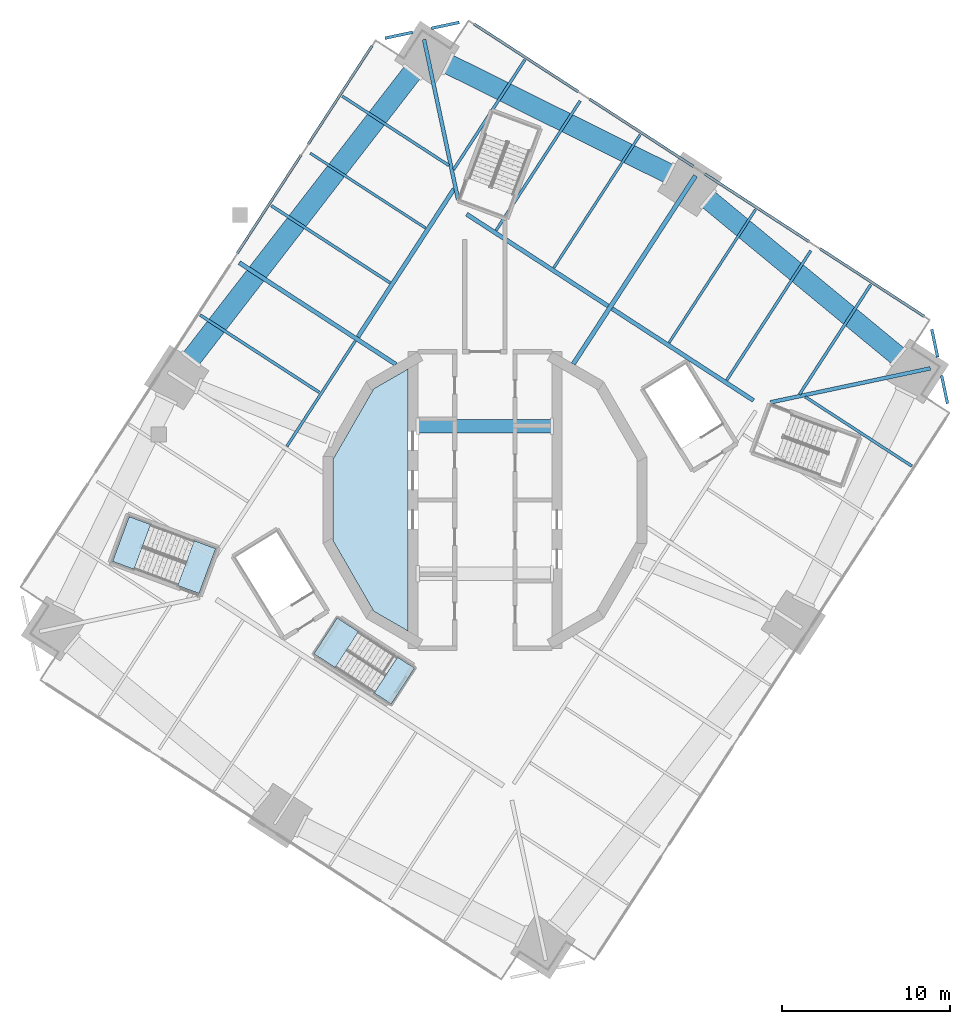
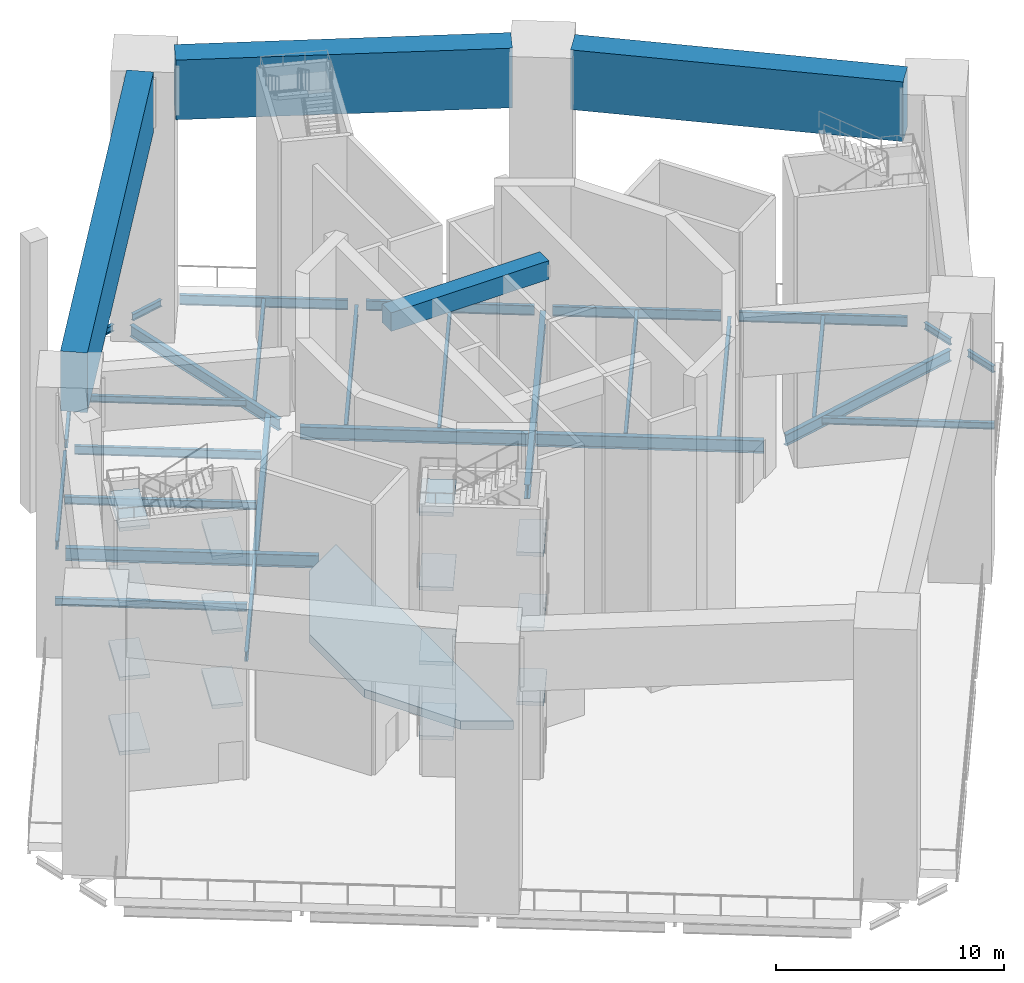
# One storey, part 2 of 16: 33 beams, 15 slabs, 2 elements without a shape of their own.
"""IFC4 building model written with IfcOpenShell, lengths in metres."""

from ifc_helpers import new_model, si_unit, direction, frame, origin, origin_2d, place, context, subcontext, project, spatial, polyline, rectangle, i_section, outline, extrude, material, layer, layer_set, material_profile, profile_set, type_object, element, aggregate, save


model = new_model("IFC4")

# Units and contexts
model_context = context("Model", 3, precision=1e-05, world=origin(), true_north=direction((0.0, 1.0)))
body_context = subcontext(model_context, "Body", "Model", "MODEL_VIEW")
ifc_project = project(units=[si_unit("LENGTHUNIT", "METRE"), si_unit("AREAUNIT", "SQUARE_METRE"), si_unit("VOLUMEUNIT", "CUBIC_METRE"), si_unit("PLANEANGLEUNIT", "RADIAN"), si_unit("MASSUNIT", "GRAM", prefix="KILO")], contexts=[model_context])

# Site, building, storey
site_placement = place(None, origin())
site = spatial("IfcSite", under=ifc_project, at=site_placement, CompositionType="ELEMENT")
building_placement = place(site_placement, origin())
building = spatial("IfcBuilding", under=site, at=building_placement, Name="Cantera Rosa Tower", CompositionType="ELEMENT")
storey_placement = place(building_placement, frame((0.0, 0.0, 290.10009765625)))
storey = spatial("IfcBuildingStorey", under=building, at=storey_placement, Name="L66", CompositionType="ELEMENT", Elevation=290.10009765625)

# Beams
ifc_material_1 = material(Name="Concrete C50/60", Category="concrete")
ifc_material_profile_1 = material_profile(ifc_material_1, rectangle(XDim=0.800048828125, YDim=1.0, at=origin_2d()), Name="RC COUPLING BEAM RC800X1000 C50/60")
ifc_profile_set_1 = profile_set([ifc_material_profile_1], Name="Concrete C50/60")
beam_type_1 = type_object("IfcBeamType", Name="RC COUPLING BEAM RC800X1000 C50/60", PredefinedType="BEAM", material=ifc_profile_set_1)
beam_1_placement = place(storey_placement, frame((-4.0, 4.39990234375, 14.0), z_axis=(1.0, 0.0, 0.0), x_axis=(0.0, 1.0, 0.0)))
element("IfcBeam", 1, at=beam_1_placement, inside=storey, type_object=beam_type_1, Name="CPL-L66-2", PredefinedType="BEAM", context=body_context, shape_type="SweptSolid", body=[
    extrude(rectangle(XDim=0.800048828125, YDim=1.0, at=origin_2d()), origin(), (0.0, 0.0, 1.0), 8.0),
])
ifc_material_2 = material(Name="Concrete C70/85", Category="concrete")
ifc_material_profile_2 = material_profile(ifc_material_2, rectangle(XDim=1.199951171875, YDim=3.199951171875, at=origin_2d()), Name="RC PORTAL TRANSFER GIRDER RC1200X3200 C70/85")
ifc_profile_set_2 = profile_set([ifc_material_profile_2], Name="Concrete C70/85")
beam_type_2 = type_object("IfcBeamType", Name="RC PORTAL TRANSFER GIRDER RC1200X3200 C70/85", PredefinedType="BEAM", material=ifc_profile_set_2)
beam_2_placement = place(storey_placement, frame((24.68994140625, 8.53369140625, 12.89990234375), z_axis=(-0.770983211747, 0.636855468065, 0.0), x_axis=(-0.636855468065, -0.770983211747, 0.0)))
element("IfcBeam", 2, at=beam_2_placement, inside=storey, type_object=beam_type_2, Name="PGB-L66-5", PredefinedType="BEAM", context=body_context, shape_type="SweptSolid", body=[
    extrude(rectangle(XDim=1.199951171875, YDim=3.199951171875, at=origin_2d()), origin(), (0.0, 0.0, 1.0), 14.814697265625),
])
beam_3_placement = place(storey_placement, frame((11.018310546875, 19.42919921875, 12.89990234375), z_axis=(-0.895371138171, 0.445320698969, 0.0), x_axis=(-0.445320698969, -0.895371138171, 0.0)))
element("IfcBeam", 3, at=beam_3_placement, inside=storey, type_object=beam_type_2, Name="PGB-L66-6", PredefinedType="BEAM", context=body_context, shape_type="SweptSolid", body=[
    extrude(rectangle(XDim=1.199951171875, YDim=3.199951171875, at=origin_2d()), origin(), (0.0, 0.0, 1.0), 14.814453125),
])
beam_4_placement = place(storey_placement, frame((-4.280517578125, 25.559326171875, 12.89990234375), z_axis=(-0.611489724216, -0.791252372621, 0.0), x_axis=(0.791252372621, -0.611489724216, 0.0)))
element("IfcBeam", 4, at=beam_4_placement, inside=storey, type_object=beam_type_2, Name="PGB-L66-7", PredefinedType="BEAM", context=body_context, shape_type="SweptSolid", body=[
    extrude(rectangle(XDim=1.199951171875, YDim=3.199951171875, at=origin_2d()), origin(), (0.0, 0.0, 1.0), 21.721923828125),
])
ifc_material_3 = material(Name="Steel ASTM A992 (Fy 345 MPa)", Category="steel")
ifc_material_profile_3 = material_profile(ifc_material_3, i_section(OverallWidth=0.154052734375, OverallDepth=0.4599609375, WebThickness=0.009033203125, FlangeThickness=0.015380859375, FilletRadius=0.01025390625, at=origin_2d()), Name="W460X68")
ifc_profile_set_3 = profile_set([ifc_material_profile_3], Name="Steel ASTM A992 (Fy 345 MPa)")
beam_type_3 = type_object("IfcBeamType", Name="STEEL BEAM W460X68", PredefinedType="BEAM", material=ifc_profile_set_3)
beam_5_placement = place(storey_placement, frame((-10.41748046875, 20.68017578125, -0.68017578125), z_axis=(0.838672777751, -0.544635632198, 0.0), x_axis=(0.544635632198, 0.838672777751, 0.0)))
element("IfcBeam", 5, at=beam_5_placement, inside=storey, type_object=beam_type_3, Name="G-Z5-04 L66", PredefinedType="BEAM", context=body_context, shape_type="SweptSolid", body=[
    extrude(i_section(OverallWidth=0.154052734375, OverallDepth=0.4599609375, WebThickness=0.009033203125, FlangeThickness=0.015380859375, FilletRadius=0.01025390625, at=origin_2d()), origin(), (0.0, 0.0, 1.0), 8.2001953125),
])
ifc_material_4 = material(Name="Steel ASTM A992 (Fy 345 MPa)", Category="steel")
ifc_material_profile_4 = material_profile(ifc_material_4, i_section(OverallWidth=0.166015625, OverallDepth=0.528076171875, WebThickness=0.009765625, FlangeThickness=0.013671875, FilletRadius=0.0126953125, at=origin_2d()), Name="W530X74")
ifc_profile_set_4 = profile_set([ifc_material_profile_4], Name="Steel ASTM A992 (Fy 345 MPa)")
beam_type_4 = type_object("IfcBeamType", Name="STEEL BEAM W530X74", PredefinedType="BEAM", material=ifc_profile_set_4)
beam_6_placement = place(storey_placement, frame((19.430908203125, 14.865234375, -0.714111328125), z_axis=(-0.544634776066, -0.838673333724, 0.0), x_axis=(0.838673333724, -0.544634776066, 0.0)))
element("IfcBeam", 6, at=beam_6_placement, inside=storey, type_object=beam_type_4, Name="G-Z5-01 L66", PredefinedType="BEAM", context=body_context, shape_type="SweptSolid", body=[
    extrude(i_section(OverallWidth=0.166015625, OverallDepth=0.528076171875, WebThickness=0.009765625, FlangeThickness=0.013671875, FilletRadius=0.0126953125, at=origin_2d()), origin(), (0.0, 0.0, 1.0), 9.19970703125),
])
beam_7_placement = place(storey_placement, frame((5.6767578125, 23.79736328125, -0.714111328125), z_axis=(-0.544622654601, -0.838681205283, 0.0), x_axis=(0.838681205283, -0.544622654601, 0.0)))
element("IfcBeam", 7, at=beam_7_placement, inside=storey, type_object=beam_type_4, Name="G-Z5-03 L66", PredefinedType="BEAM", context=body_context, shape_type="SweptSolid", body=[
    extrude(i_section(OverallWidth=0.166015625, OverallDepth=0.528076171875, WebThickness=0.009765625, FlangeThickness=0.013671875, FilletRadius=0.0126953125, at=origin_2d()), origin(), (0.0, 0.0, 1.0), 9.199951171875),
])
beam_8_placement = place(storey_placement, frame((-11.807373046875, 3.20849609375, -0.714111328125), z_axis=(0.544626910795, 0.838678441381, 0.0), x_axis=(-0.838678441381, 0.544626910795, 0.0)))
element("IfcBeam", 8, at=beam_8_placement, inside=storey, type_object=beam_type_4, Name="RB-Z5-02 L66", PredefinedType="BEAM", context=body_context, shape_type="SweptSolid", body=[
    extrude(i_section(OverallWidth=0.166015625, OverallDepth=0.528076171875, WebThickness=0.009765625, FlangeThickness=0.013671875, FilletRadius=0.0126953125, at=origin_2d()), origin(), (0.0, 0.0, 1.0), 7.479736328125),
])
ifc_material_5 = material(Name="Steel ASTM A992 (Fy 345 MPa)", Category="steel")
ifc_material_profile_5 = material_profile(ifc_material_5, i_section(OverallWidth=0.22802734375, OverallDepth=0.60205078125, WebThickness=0.010498046875, FlangeThickness=0.014892578125, FilletRadius=0.0126953125, at=origin_2d()), Name="W610X101")
ifc_profile_set_5 = profile_set([ifc_material_profile_5], Name="Steel ASTM A992 (Fy 345 MPa)")
beam_type_5 = type_object("IfcBeamType", Name="STEEL BEAM W610X101", PredefinedType="BEAM", material=ifc_profile_set_5)
for number, where, z_axis, x_axis, name in (
    (9, (-3.63134765625, 27.45751953125, -0.7509765625), (0.20790902572, -0.978148167214, 0.0), (0.978148167214, 0.20790902572, 0.0), "CB-Z5-01 L66"),
    (10, (26.560791015625, 7.8505859375, -0.7509765625), (-0.978148167214, -0.20790902572, 0.0), (0.20790902572, -0.978148167214, 0.0), "CB-Z5-04 L66"),
):
    element("IfcBeam", number, at=place(storey_placement, frame(where, z_axis=z_axis, x_axis=x_axis)), inside=storey, type_object=beam_type_5, Name=name, PredefinedType="BEAM", context=body_context, shape_type="SweptSolid", body=[
        extrude(i_section(OverallWidth=0.22802734375, OverallDepth=0.60205078125, WebThickness=0.010498046875, FlangeThickness=0.014892578125, FilletRadius=0.0126953125, at=origin_2d()), origin(), (0.0, 0.0, 1.0), 9.758056640625),
    ])
ifc_material_6 = material(Name="Steel ASTM A992 (Fy 345 MPa)", Category="steel")
ifc_material_profile_6 = material_profile(ifc_material_6, i_section(OverallWidth=0.25390625, OverallDepth=0.677978515625, WebThickness=0.01171875, FlangeThickness=0.016357421875, FilletRadius=0.01513671875, at=origin_2d()), Name="W690X125")
ifc_profile_set_6 = profile_set([ifc_material_profile_6], Name="Steel ASTM A992 (Fy 345 MPa)")
beam_type_6 = type_object("IfcBeamType", Name="STEEL BEAM W690X125", PredefinedType="BEAM", material=ifc_profile_set_6)
beam_9_placement = place(storey_placement, frame((-14.65478515625, 14.1552734375, -0.7890625), z_axis=(0.838661833747, -0.544652484265, 0.0), x_axis=(0.544652484265, 0.838661833747, 0.0)))
element("IfcBeam", 11, at=beam_9_placement, inside=storey, type_object=beam_type_6, Name="G-Z5-05 L66", PredefinedType="BEAM", context=body_context, shape_type="SweptSolid", body=[
    extrude(i_section(OverallWidth=0.25390625, OverallDepth=0.677978515625, WebThickness=0.01171875, FlangeThickness=0.016357421875, FilletRadius=0.01513671875, at=origin_2d()), origin(), (0.0, 0.0, 1.0), 11.141357421875),
])
beam_10_placement = place(storey_placement, frame((-7.570068359375, 9.733154296875, -0.7890625), z_axis=(0.544635575355, 0.838672814665, 0.0), x_axis=(-0.838672814665, 0.544635575355, 0.0)))
element("IfcBeam", 12, at=beam_10_placement, inside=storey, type_object=beam_type_6, Name="RB-Z5-03 L66", PredefinedType="BEAM", context=body_context, shape_type="SweptSolid", body=[
    extrude(i_section(OverallWidth=0.25390625, OverallDepth=0.677978515625, WebThickness=0.01171875, FlangeThickness=0.016357421875, FilletRadius=0.01513671875, at=origin_2d()), origin(), (0.0, 0.0, 1.0), 10.510009765625),
])
beam_11_placement = place(storey_placement, frame((16.01611328125, 5.9345703125, -0.7890625), z_axis=(-0.838672207367, 0.544636510519, 0.0), x_axis=(-0.544636510519, -0.838672207367, 0.0)))
element("IfcBeam", 13, at=beam_11_placement, inside=storey, type_object=beam_type_6, Name="RB-Z5-07 L66", PredefinedType="BEAM", context=body_context, shape_type="SweptSolid", body=[
    extrude(i_section(OverallWidth=0.25390625, OverallDepth=0.677978515625, WebThickness=0.01171875, FlangeThickness=0.016357421875, FilletRadius=0.01513671875, at=origin_2d()), origin(), (0.0, 0.0, 1.0), 10.050048828125),
])
beam_12_placement = place(storey_placement, frame((7.335693359375, 11.571533203125, -0.7890625), z_axis=(-0.838665001306, 0.544647606792, 0.0), x_axis=(-0.544647606792, -0.838665001306, 0.0)))
element("IfcBeam", 14, at=beam_12_placement, inside=storey, type_object=beam_type_6, Name="RB-Z5-08 L66", PredefinedType="BEAM", context=body_context, shape_type="SweptSolid", body=[
    extrude(i_section(OverallWidth=0.25390625, OverallDepth=0.677978515625, WebThickness=0.01171875, FlangeThickness=0.016357421875, FilletRadius=0.01513671875, at=origin_2d()), origin(), (0.0, 0.0, 1.0), 10.0498046875),
])
ifc_material_7 = material(Name="Steel ASTM A992 (Fy 345 MPa)", Category="steel")
ifc_material_profile_7 = material_profile(ifc_material_7, i_section(OverallWidth=0.26708984375, OverallDepth=0.75390625, WebThickness=0.01318359375, FlangeThickness=0.01708984375, FilletRadius=0.0166015625, at=origin_2d()), Name="W760X147")
ifc_profile_set_7 = profile_set([ifc_material_profile_7], Name="Steel ASTM A992 (Fy 345 MPa)")
beam_type_7 = type_object("IfcBeamType", Name="STEEL BEAM W760X147", PredefinedType="BEAM", material=ifc_profile_set_7)
beam_13_placement = place(storey_placement, frame((12.553955078125, 19.331298828125, -0.8271484375), z_axis=(-0.54464061985, -0.838669538739, 0.0), x_axis=(0.838669538739, -0.54464061985, 0.0)))
element("IfcBeam", 15, at=beam_13_placement, inside=storey, type_object=beam_type_7, Name="G-Z5-02 L66", PredefinedType="BEAM", context=body_context, shape_type="SweptSolid", body=[
    extrude(i_section(OverallWidth=0.26708984375, OverallDepth=0.75390625, WebThickness=0.01318359375, FlangeThickness=0.01708984375, FilletRadius=0.0166015625, at=origin_2d()), origin(), (0.0, 0.0, 1.0), 13.37744140625),
])
ifc_material_8 = material(Name="Steel ASTM A992 (Fy 345 MPa)", Category="steel")
ifc_material_profile_8 = material_profile(ifc_material_8, i_section(OverallWidth=0.1708984375, OverallDepth=0.35595703125, WebThickness=0.00732421875, FlangeThickness=0.01171875, FilletRadius=0.010009765625, at=origin_2d()), Name="W360X51")
ifc_profile_set_8 = profile_set([ifc_material_profile_8], Name="Steel ASTM A992 (Fy 345 MPa)")
beam_type_8 = type_object("IfcBeamType", Name="STEEL JOIST W360X51", PredefinedType="JOIST", material=ifc_profile_set_8)
for number, where, z_axis, x_axis, name in (
    (16, (23.005859375, 12.842041015625, -0.628173828125), (-0.544641754757, -0.838668801718, 0.0), (0.838668801718, -0.544641754757, 0.0), "B-Z5-01 L66"),
    (17, (2.37451171875, 26.239990234375, -0.628173828125), (-0.54465605183, -0.838659516851, 0.0), (0.838659516851, -0.54465605183, 0.0), "B-Z5-04 L66"),
):
    element("IfcBeam", number, at=place(storey_placement, frame(where, z_axis=z_axis, x_axis=x_axis)), inside=storey, type_object=beam_type_8, Name=name, PredefinedType="JOIST", context=body_context, shape_type="SweptSolid", body=[
        extrude(i_section(OverallWidth=0.1708984375, OverallDepth=0.35595703125, WebThickness=0.00732421875, FlangeThickness=0.01171875, FilletRadius=0.010009765625, at=origin_2d()), origin(), (0.0, 0.0, 1.0), 7.800048828125),
    ])
beam_14_placement = place(storey_placement, frame((-8.508544921875, 24.07861328125, -0.628173828125), z_axis=(0.838670629323, -0.544638940502, 0.0), x_axis=(0.544638940502, 0.838670629323, 0.0)))
element("IfcBeam", 18, at=beam_14_placement, inside=storey, type_object=beam_type_8, Name="B-Z5-05 L66", PredefinedType="JOIST", context=body_context, shape_type="SweptSolid", body=[
    extrude(i_section(OverallWidth=0.1708984375, OverallDepth=0.35595703125, WebThickness=0.00732421875, FlangeThickness=0.01171875, FilletRadius=0.010009765625, at=origin_2d()), origin(), (0.0, 0.0, 1.0), 7.58984375),
])
beam_15_placement = place(storey_placement, frame((25.457763671875, 2.020751953125, -0.628173828125), z_axis=(-0.838680170462, 0.54462424815, 0.0), x_axis=(-0.54462424815, -0.838680170462, 0.0)))
element("IfcBeam", 19, at=beam_15_placement, inside=storey, type_object=beam_type_8, Name="B-Z5-14 L66", PredefinedType="JOIST", context=body_context, shape_type="SweptSolid", body=[
    extrude(i_section(OverallWidth=0.1708984375, OverallDepth=0.35595703125, WebThickness=0.00732421875, FlangeThickness=0.01171875, FilletRadius=0.010009765625, at=origin_2d()), origin(), (0.0, 0.0, 1.0), 7.590087890625),
])
ifc_material_9 = material(Name="Steel ASTM A992 (Fy 345 MPa)", Category="steel")
ifc_material_profile_9 = material_profile(ifc_material_9, i_section(OverallWidth=0.177978515625, OverallDepth=0.406005859375, WebThickness=0.0078125, FlangeThickness=0.0126953125, FilletRadius=0.01025390625, at=origin_2d()), Name="W410X60")
ifc_profile_set_9 = profile_set([ifc_material_profile_9], Name="Steel ASTM A992 (Fy 345 MPa)")
beam_type_9 = type_object("IfcBeamType", Name="STEEL JOIST W410X60", PredefinedType="JOIST", material=ifc_profile_set_9)
beam_16_placement = place(storey_placement, frame((-12.745849609375, 17.5537109375, -0.653076171875), z_axis=(0.838683812595, -0.5446186395, 0.0), x_axis=(0.5446186395, 0.838683812595, 0.0)))
element("IfcBeam", 20, at=beam_16_placement, inside=storey, type_object=beam_type_9, Name="B-Z5-06 L66", PredefinedType="JOIST", context=body_context, shape_type="SweptSolid", body=[
    extrude(i_section(OverallWidth=0.177978515625, OverallDepth=0.406005859375, WebThickness=0.0078125, FlangeThickness=0.0126953125, FilletRadius=0.01025390625, at=origin_2d()), origin(), (0.0, 0.0, 1.0), 8.449951171875),
])
beam_17_placement = place(storey_placement, frame((-16.983154296875, 11.029052734375, -0.653076171875), z_axis=(0.838670615657, -0.544638961546, 0.0), x_axis=(0.544638961546, 0.838670615657, 0.0)))
element("IfcBeam", 21, at=beam_17_placement, inside=storey, type_object=beam_type_9, Name="B-Z5-07 L66", PredefinedType="JOIST", context=body_context, shape_type="SweptSolid", body=[
    extrude(i_section(OverallWidth=0.177978515625, OverallDepth=0.406005859375, WebThickness=0.0078125, FlangeThickness=0.0126953125, FilletRadius=0.01025390625, at=origin_2d()), origin(), (0.0, 0.0, 1.0), 8.4501953125),
])
ifc_material_10 = material(Name="Steel ASTM A992 (Fy 345 MPa)", Category="steel")
ifc_material_profile_10 = material_profile(ifc_material_10, i_section(OverallWidth=0.154052734375, OverallDepth=0.4599609375, WebThickness=0.009033203125, FlangeThickness=0.015380859375, FilletRadius=0.01025390625, at=origin_2d()), Name="W460X68")
ifc_profile_set_10 = profile_set([ifc_material_profile_10], Name="Steel ASTM A992 (Fy 345 MPa)")
beam_type_10 = type_object("IfcBeamType", Name="STEEL JOIST W460X68", PredefinedType="JOIST", material=ifc_profile_set_10)
beam_18_placement = place(storey_placement, frame((16.128662109375, 17.30810546875, -0.68017578125), z_axis=(-0.544644146603, -0.838667248419, 0.0), x_axis=(0.838667248419, -0.544644146603, 0.0)))
element("IfcBeam", 22, at=beam_18_placement, inside=storey, type_object=beam_type_10, Name="B-Z5-02 L66", PredefinedType="JOIST", context=body_context, shape_type="SweptSolid", body=[
    extrude(i_section(OverallWidth=0.154052734375, OverallDepth=0.4599609375, WebThickness=0.009033203125, FlangeThickness=0.015380859375, FilletRadius=0.01025390625, at=origin_2d()), origin(), (0.0, 0.0, 1.0), 9.4501953125),
])
beam_19_placement = place(storey_placement, frame((9.25146484375, 21.77392578125, -0.68017578125), z_axis=(-0.544637775879, -0.838671385636, 0.0), x_axis=(0.838671385636, -0.544637775879, 0.0)))
element("IfcBeam", 23, at=beam_19_placement, inside=storey, type_object=beam_type_10, Name="B-Z5-03 L66", PredefinedType="JOIST", context=body_context, shape_type="SweptSolid", body=[
    extrude(i_section(OverallWidth=0.154052734375, OverallDepth=0.4599609375, WebThickness=0.009033203125, FlangeThickness=0.015380859375, FilletRadius=0.01025390625, at=origin_2d()), origin(), (0.0, 0.0, 1.0), 9.44970703125),
])
ifc_material_11 = material(Name="Steel ASTM A992 (Fy 345 MPa)", Category="steel")
ifc_material_profile_11 = material_profile(ifc_material_11, i_section(OverallWidth=0.1708984375, OverallDepth=0.35595703125, WebThickness=0.00732421875, FlangeThickness=0.01171875, FilletRadius=0.010009765625, at=origin_2d()), Name="W360X51")
ifc_profile_set_11 = profile_set([ifc_material_profile_11], Name="Steel ASTM A992 (Fy 345 MPa)")
beam_type_11 = type_object("IfcBeamType", Name="STEEL SPANDREL BEAM W360X51", PredefinedType="SPANDREL", material=ifc_profile_set_11)
for number, where, z_axis, x_axis, name in (
    (24, (-1.53564453125, 28.481201171875, -0.628173828125), (-0.978158850918, -0.20785875582, 0.0), (0.20785875582, -0.978158850918, 0.0), "EB-Z5-05 L66"),
    (25, (-4.30224609375, 27.893310546875, -0.628173828125), (-0.978129595322, -0.207996381593, 0.0), (0.207996381593, -0.978129595322, 0.0), "EB-Z5-06 L66"),
):
    element("IfcBeam", number, at=place(storey_placement, frame(where, z_axis=z_axis, x_axis=x_axis)), inside=storey, type_object=beam_type_11, Name=name, PredefinedType="SPANDREL", context=body_context, shape_type="SweptSolid", body=[
        extrude(i_section(OverallWidth=0.1708984375, OverallDepth=0.35595703125, WebThickness=0.00732421875, FlangeThickness=0.01171875, FilletRadius=0.010009765625, at=origin_2d()), origin(), (0.0, 0.0, 1.0), 1.697265625),
    ])
for number, where, z_axis, x_axis, name in (
    (26, (27.58447265625, 5.7548828125, -0.628173828125), (-0.207888006632, 0.978152634663, 0.0), (-0.978152634663, -0.207888006632, 0.0), "EB-Z5-25 L66"),
    (27, (26.996337890625, 8.521484375, -0.628173828125), (-0.207888006632, 0.978152634663, 0.0), (-0.978152634663, -0.207888006632, 0.0), "EB-Z5-26 L66"),
):
    element("IfcBeam", number, at=place(storey_placement, frame(where, z_axis=z_axis, x_axis=x_axis)), inside=storey, type_object=beam_type_11, Name=name, PredefinedType="SPANDREL", context=body_context, shape_type="SweptSolid", body=[
        extrude(i_section(OverallWidth=0.1708984375, OverallDepth=0.35595703125, WebThickness=0.00732421875, FlangeThickness=0.01171875, FilletRadius=0.010009765625, at=origin_2d()), origin(), (0.0, 0.0, 1.0), 1.697021484375),
    ])
ifc_material_12 = material(Name="Steel ASTM A992 (Fy 345 MPa)", Category="steel")
ifc_material_profile_12 = material_profile(ifc_material_12, i_section(OverallWidth=0.154052734375, OverallDepth=0.4599609375, WebThickness=0.009033203125, FlangeThickness=0.015380859375, FilletRadius=0.01025390625, at=origin_2d()), Name="W460X68")
ifc_profile_set_12 = profile_set([ifc_material_profile_12], Name="Steel ASTM A992 (Fy 345 MPa)")
beam_type_12 = type_object("IfcBeamType", Name="STEEL SPANDREL BEAM W460X68", PredefinedType="SPANDREL", material=ifc_profile_set_12)
for number, where, z_axis, x_axis, name in (
    (28, (-6.7333984375, 27.08740234375, -0.68017578125), (-0.544651451949, -0.838662504164, 0.0), (0.838662504164, -0.544651451949, 0.0), "EB-Z5-07 L66"),
    (29, (-10.970703125, 20.5625, -0.68017578125), (-0.544651451949, -0.838662504164, 0.0), (0.838662504164, -0.544651451949, 0.0), "EB-Z5-08 L66"),
):
    element("IfcBeam", number, at=place(storey_placement, frame(where, z_axis=z_axis, x_axis=x_axis)), inside=storey, type_object=beam_type_12, Name=name, PredefinedType="SPANDREL", context=body_context, shape_type="SweptSolid", body=[
        extrude(i_section(OverallWidth=0.154052734375, OverallDepth=0.4599609375, WebThickness=0.009033203125, FlangeThickness=0.015380859375, FilletRadius=0.01025390625, at=origin_2d()), origin(), (0.0, 0.0, 1.0), 6.980224609375),
    ])
ifc_material_13 = material(Name="Steel ASTM A992 (Fy 345 MPa)", Category="steel")
ifc_material_profile_13 = material_profile(ifc_material_13, i_section(OverallWidth=0.166015625, OverallDepth=0.528076171875, WebThickness=0.009765625, FlangeThickness=0.013671875, FilletRadius=0.0126953125, at=origin_2d()), Name="W530X74")
ifc_profile_set_13 = profile_set([ifc_material_profile_13], Name="Steel ASTM A992 (Fy 345 MPa)")
beam_type_13 = type_object("IfcBeamType", Name="STEEL SPANDREL BEAM W530X74", PredefinedType="SPANDREL", material=ifc_profile_set_13)
beam_20_placement = place(storey_placement, frame((26.1904296875, 10.95263671875, -0.714111328125), z_axis=(-0.838669679097, 0.544640403719, 0.0), x_axis=(-0.544640403719, -0.838669679097, 0.0)))
element("IfcBeam", 30, at=beam_20_placement, inside=storey, type_object=beam_type_13, Name="EB-Z5-01 L66", PredefinedType="SPANDREL", context=body_context, shape_type="SweptSolid", body=[
    extrude(i_section(OverallWidth=0.166015625, OverallDepth=0.528076171875, WebThickness=0.009765625, FlangeThickness=0.013671875, FilletRadius=0.0126953125, at=origin_2d()), origin(), (0.0, 0.0, 1.0), 7.39990234375),
])
beam_21_placement = place(storey_placement, frame((19.3134765625, 15.418701171875, -0.714111328125), z_axis=(-0.838679465365, 0.544625333946, 0.0), x_axis=(-0.544625333946, -0.838679465365, 0.0)))
element("IfcBeam", 31, at=beam_21_placement, inside=storey, type_object=beam_type_13, Name="EB-Z5-02 L66", PredefinedType="SPANDREL", context=body_context, shape_type="SweptSolid", body=[
    extrude(i_section(OverallWidth=0.166015625, OverallDepth=0.528076171875, WebThickness=0.009765625, FlangeThickness=0.013671875, FilletRadius=0.0126953125, at=origin_2d()), origin(), (0.0, 0.0, 1.0), 7.400146484375),
])
beam_22_placement = place(storey_placement, frame((12.436279296875, 19.884765625, -0.714111328125), z_axis=(-0.838669679097, 0.544640403719, 0.0), x_axis=(-0.544640403719, -0.838669679097, 0.0)))
element("IfcBeam", 32, at=beam_22_placement, inside=storey, type_object=beam_type_13, Name="EB-Z5-03 L66", PredefinedType="SPANDREL", context=body_context, shape_type="SweptSolid", body=[
    extrude(i_section(OverallWidth=0.166015625, OverallDepth=0.528076171875, WebThickness=0.009765625, FlangeThickness=0.013671875, FilletRadius=0.0126953125, at=origin_2d()), origin(), (0.0, 0.0, 1.0), 7.39990234375),
])
beam_23_placement = place(storey_placement, frame((5.559326171875, 24.350830078125, -0.714111328125), z_axis=(-0.838679465365, 0.544625333946, 0.0), x_axis=(-0.544625333946, -0.838679465365, 0.0)))
element("IfcBeam", 33, at=beam_23_placement, inside=storey, type_object=beam_type_13, Name="EB-Z5-04 L66", PredefinedType="SPANDREL", context=body_context, shape_type="SweptSolid", body=[
    extrude(i_section(OverallWidth=0.166015625, OverallDepth=0.528076171875, WebThickness=0.009765625, FlangeThickness=0.013671875, FilletRadius=0.0126953125, at=origin_2d()), origin(), (0.0, 0.0, 1.0), 7.400146484375),
])

# Slab
ifc_material_14 = material(Name="Concrete C50/60", Category="concrete")
ifc_layer_1 = layer(ifc_material_14, 0.449951171875)
ifc_layer_set_1 = layer_set([ifc_layer_1], Name="RC TRANSFER PLATE 450 C50/60")
slab_type_1 = type_object("IfcSlabType", Name="RC TRANSFER PLATE 450 C50/60", PredefinedType="FLOOR", material=ifc_layer_set_1)
slab_1_placement = place(storey_placement, frame((0.0, 0.0, -0.4501953125)))
element("IfcSlab", 34, at=slab_1_placement, inside=storey, type_object=slab_type_1, Name="SLAB L66 floor 1", PredefinedType="FLOOR", context=body_context, shape_type="SweptSolid", body=[
    extrude(outline(polyline([(-4.60009765625, -7.804931640625), (-6.6318359375, -6.6318359375), (-9.059326171875, -2.427490234375), (-9.059326171875, 2.427490234375), (-6.6318359375, 6.6318359375), (-4.60009765625, 7.804931640625), (-4.60009765625, -7.804931640625)])), origin(), (0.0, 0.0, 1.0), 0.4501953125),
])

# Stair, slabs
ifc_material_15 = material(Name="Concrete C35/45", Category="concrete")
stair_type_1 = type_object("IfcStairType", Name="EXIT STAIR 1350 DOGLEG", PredefinedType="HALF_TURN_STAIR", material=ifc_material_15)
stair_1_placement = place(storey_placement, origin())
stair_1 = element("IfcStair", 35, at=stair_1_placement, inside=storey, type_object=stair_type_1, Name="L66 ST-63", PredefinedType="HALF_TURN_STAIR")
ifc_material_16 = material(Name="Concrete C35/45", Category="concrete")
ifc_layer_2 = layer(ifc_material_16, 0.199951171875)
ifc_layer_set_2 = layer_set([ifc_layer_2], Name="STAIR LANDING 200")
slab_type_2 = type_object("IfcSlabType", Name="STAIR LANDING 200", PredefinedType="LANDING", material=ifc_layer_set_2)
slab_2_placement = place(storey_placement, frame((0.0, 0.0, 1.7998046875)))
slab_2 = element("IfcSlab", 36, at=slab_2_placement, type_object=slab_type_2, Name="ST-63 landing 1", PredefinedType="LANDING", context=body_context, shape_type="SweptSolid", body=[
    extrude(outline(polyline([(-19.938720703125, -1.462890625), (-21.2158203125, -0.989501953125), (-22.206298828125, -3.661865234375), (-20.928955078125, -4.13525390625), (-19.938720703125, -1.462890625)])), origin(), (0.0, 0.0, 1.0), 0.2001953125),
])
slab_3_placement = place(storey_placement, frame((0.0, 0.0, 3.7998046875)))
slab_3 = element("IfcSlab", 37, at=slab_3_placement, type_object=slab_type_2, Name="ST-63 landing 2", PredefinedType="LANDING", context=body_context, shape_type="SweptSolid", body=[
    extrude(outline(polyline([(-16.05859375, -2.900634765625), (-17.335693359375, -2.427490234375), (-18.325927734375, -5.099853515625), (-17.048828125, -5.572998046875), (-16.05859375, -2.900634765625)])), origin(), (0.0, 0.0, 1.0), 0.2001953125),
])
slab_4_placement = place(storey_placement, frame((0.0, 0.0, 5.7998046875)))
slab_4 = element("IfcSlab", 38, at=slab_4_placement, type_object=slab_type_2, Name="ST-63 landing 3", PredefinedType="LANDING", context=body_context, shape_type="SweptSolid", body=[
    extrude(outline(polyline([(-19.938720703125, -1.462890625), (-21.2158203125, -0.989501953125), (-22.206298828125, -3.661865234375), (-20.928955078125, -4.13525390625), (-19.938720703125, -1.462890625)])), origin(), (0.0, 0.0, 1.0), 0.2001953125),
])
slab_5_placement = place(storey_placement, frame((0.0, 0.0, 7.7998046875)))
slab_5 = element("IfcSlab", 39, at=slab_5_placement, type_object=slab_type_2, Name="ST-63 landing 4", PredefinedType="LANDING", context=body_context, shape_type="SweptSolid", body=[
    extrude(outline(polyline([(-16.05859375, -2.900634765625), (-17.335693359375, -2.427490234375), (-18.325927734375, -5.099853515625), (-17.048828125, -5.572998046875), (-16.05859375, -2.900634765625)])), origin(), (0.0, 0.0, 1.0), 0.2001953125),
])
slab_6_placement = place(storey_placement, frame((0.0, 0.0, 9.7998046875)))
slab_6 = element("IfcSlab", 40, at=slab_6_placement, type_object=slab_type_2, Name="ST-63 landing 5", PredefinedType="LANDING", context=body_context, shape_type="SweptSolid", body=[
    extrude(outline(polyline([(-19.938720703125, -1.462890625), (-21.2158203125, -0.989501953125), (-22.206298828125, -3.661865234375), (-20.928955078125, -4.13525390625), (-19.938720703125, -1.462890625)])), origin(), (0.0, 0.0, 1.0), 0.2001953125),
])
slab_7_placement = place(storey_placement, frame((0.0, 0.0, 11.7998046875)))
slab_7 = element("IfcSlab", 41, at=slab_7_placement, type_object=slab_type_2, Name="ST-63 landing 6", PredefinedType="LANDING", context=body_context, shape_type="SweptSolid", body=[
    extrude(outline(polyline([(-16.05859375, -2.900634765625), (-17.335693359375, -2.427490234375), (-18.325927734375, -5.099853515625), (-17.048828125, -5.572998046875), (-16.05859375, -2.900634765625)])), origin(), (0.0, 0.0, 1.0), 0.2001953125),
])
slab_8_placement = place(storey_placement, frame((0.0, 0.0, 13.7998046875)))
slab_8 = element("IfcSlab", 42, at=slab_8_placement, type_object=slab_type_2, Name="ST-63 landing 7", PredefinedType="LANDING", context=body_context, shape_type="SweptSolid", body=[
    extrude(outline(polyline([(-19.938720703125, -1.462890625), (-21.2158203125, -0.989501953125), (-22.206298828125, -3.661865234375), (-20.928955078125, -4.13525390625), (-19.938720703125, -1.462890625)])), origin(), (0.0, 0.0, 1.0), 0.2001953125),
])
aggregate(stair_1, [slab_2, slab_3, slab_4, slab_5, slab_6, slab_7, slab_8])

ifc_material_17 = material(Name="Concrete C35/45", Category="concrete")
stair_type_2 = type_object("IfcStairType", Name="EXIT STAIR 1200 DOGLEG", PredefinedType="HALF_TURN_STAIR", material=ifc_material_17)
stair_2_placement = place(storey_placement, origin())
stair_2 = element("IfcStair", 43, at=stair_2_placement, inside=storey, type_object=stair_type_2, Name="L66 ST-64", PredefinedType="HALF_TURN_STAIR")
slab_9_placement = place(storey_placement, frame((0.0, 0.0, 1.7998046875)))
slab_9 = element("IfcSlab", 44, at=slab_9_placement, type_object=slab_type_2, Name="ST-64 landing 1", PredefinedType="LANDING", context=body_context, shape_type="SweptSolid", body=[
    extrude(outline(polyline([(-7.5439453125, -7.8564453125), (-8.81201171875, -7.032958984375), (-10.20068359375, -9.171630859375), (-8.9326171875, -9.9951171875), (-7.5439453125, -7.8564453125)])), origin(), (0.0, 0.0, 1.0), 0.2001953125),
])
slab_10_placement = place(storey_placement, frame((0.0, 0.0, 3.7998046875)))
slab_10 = element("IfcSlab", 45, at=slab_10_placement, type_object=slab_type_2, Name="ST-64 landing 2", PredefinedType="LANDING", context=body_context, shape_type="SweptSolid", body=[
    extrude(outline(polyline([(-4.19921875, -10.028564453125), (-5.2158203125, -9.368408203125), (-6.6044921875, -11.507080078125), (-5.588134765625, -12.1669921875), (-4.19921875, -10.028564453125)])), origin(), (0.0, 0.0, 1.0), 0.2001953125),
])
slab_11_placement = place(storey_placement, frame((0.0, 0.0, 5.7998046875)))
slab_11 = element("IfcSlab", 46, at=slab_11_placement, type_object=slab_type_2, Name="ST-64 landing 3", PredefinedType="LANDING", context=body_context, shape_type="SweptSolid", body=[
    extrude(outline(polyline([(-7.5439453125, -7.8564453125), (-8.81201171875, -7.032958984375), (-10.20068359375, -9.171630859375), (-8.9326171875, -9.9951171875), (-7.5439453125, -7.8564453125)])), origin(), (0.0, 0.0, 1.0), 0.2001953125),
])
slab_12_placement = place(storey_placement, frame((0.0, 0.0, 7.7998046875)))
slab_12 = element("IfcSlab", 47, at=slab_12_placement, type_object=slab_type_2, Name="ST-64 landing 4", PredefinedType="LANDING", context=body_context, shape_type="SweptSolid", body=[
    extrude(outline(polyline([(-4.19921875, -10.028564453125), (-5.2158203125, -9.368408203125), (-6.6044921875, -11.507080078125), (-5.588134765625, -12.1669921875), (-4.19921875, -10.028564453125)])), origin(), (0.0, 0.0, 1.0), 0.2001953125),
])
slab_13_placement = place(storey_placement, frame((0.0, 0.0, 9.7998046875)))
slab_13 = element("IfcSlab", 48, at=slab_13_placement, type_object=slab_type_2, Name="ST-64 landing 5", PredefinedType="LANDING", context=body_context, shape_type="SweptSolid", body=[
    extrude(outline(polyline([(-7.5439453125, -7.8564453125), (-8.81201171875, -7.032958984375), (-10.20068359375, -9.171630859375), (-8.9326171875, -9.9951171875), (-7.5439453125, -7.8564453125)])), origin(), (0.0, 0.0, 1.0), 0.2001953125),
])
slab_14_placement = place(storey_placement, frame((0.0, 0.0, 11.7998046875)))
slab_14 = element("IfcSlab", 49, at=slab_14_placement, type_object=slab_type_2, Name="ST-64 landing 6", PredefinedType="LANDING", context=body_context, shape_type="SweptSolid", body=[
    extrude(outline(polyline([(-4.19921875, -10.028564453125), (-5.2158203125, -9.368408203125), (-6.6044921875, -11.507080078125), (-5.588134765625, -12.1669921875), (-4.19921875, -10.028564453125)])), origin(), (0.0, 0.0, 1.0), 0.2001953125),
])
slab_15_placement = place(storey_placement, frame((0.0, 0.0, 13.7998046875)))
slab_15 = element("IfcSlab", 50, at=slab_15_placement, type_object=slab_type_2, Name="ST-64 landing 7", PredefinedType="LANDING", context=body_context, shape_type="SweptSolid", body=[
    extrude(outline(polyline([(-7.5439453125, -7.8564453125), (-8.81201171875, -7.032958984375), (-10.20068359375, -9.171630859375), (-8.9326171875, -9.9951171875), (-7.5439453125, -7.8564453125)])), origin(), (0.0, 0.0, 1.0), 0.2001953125),
])
aggregate(stair_2, [slab_9, slab_10, slab_11, slab_12, slab_13, slab_14, slab_15])

save(model, "model.ifc")
